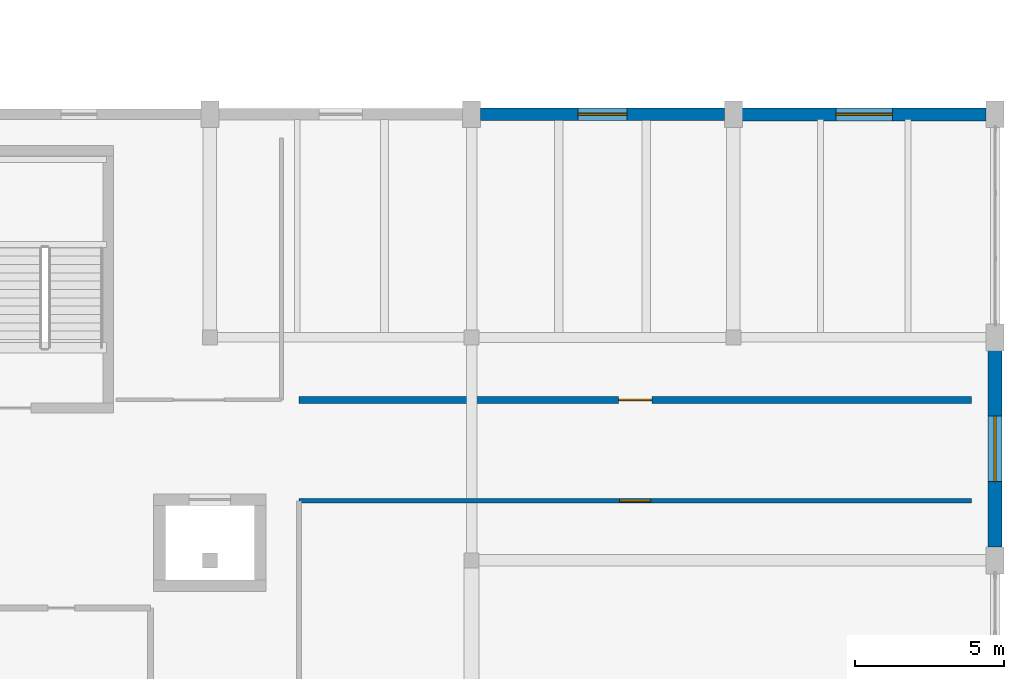
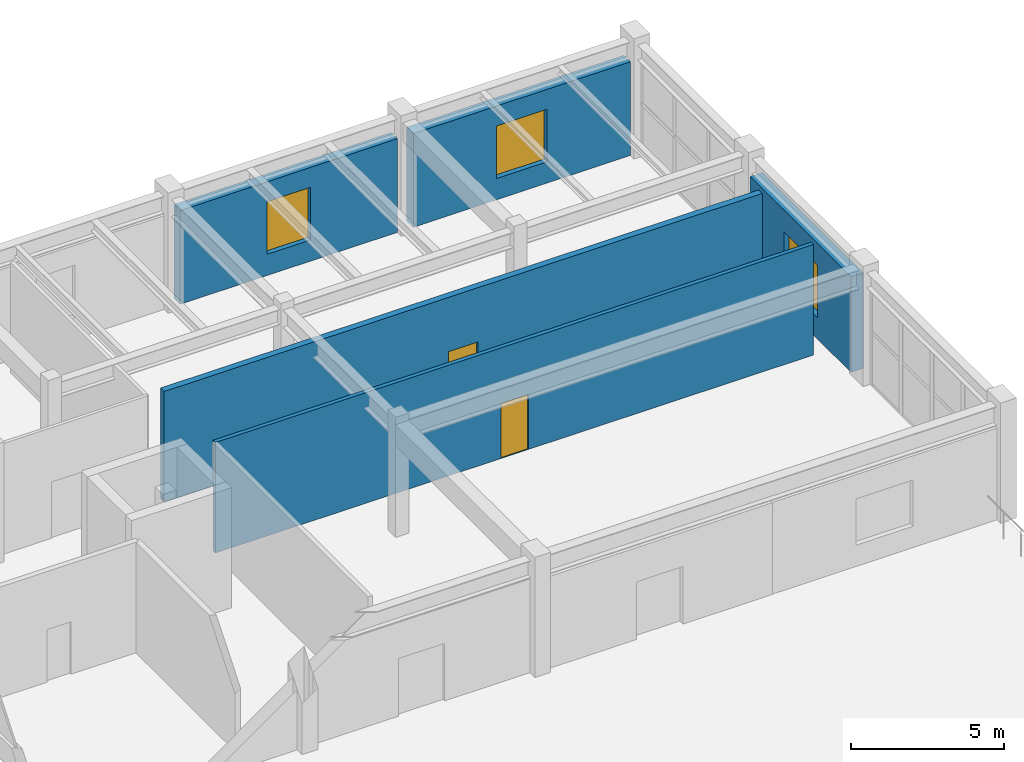
# One storey, part 46 of 62: 5 walls, 3 windows, 2 doors, 5 openings.
"""IFC4 building model written with IfcOpenShell, lengths in metres."""

from ifc_helpers import new_model, si_unit, direction, frame, frame_2d, origin, place, context, subcontext, project, spatial, rectangle, extrude, material, layer, layer_set, type_object, element, fill, save


model = new_model("IFC4")

# Units and contexts
model_context = context("Model", 3, precision=1e-05, world=origin(), true_north=direction((0.0, 1.0)))
body_context = subcontext(model_context, "Body", "Model", "MODEL_VIEW")
ifc_project = project(units=[si_unit("LENGTHUNIT", "METRE"), si_unit("AREAUNIT", "SQUARE_METRE"), si_unit("VOLUMEUNIT", "CUBIC_METRE"), si_unit("PLANEANGLEUNIT", "RADIAN"), si_unit("MASSUNIT", "GRAM", prefix="KILO")], contexts=[model_context])

# Site, building, storey
site_placement = place(None, origin())
site = spatial("IfcSite", under=ifc_project, at=site_placement, CompositionType="ELEMENT")
building_placement = place(site_placement, origin())
building = spatial("IfcBuilding", under=site, at=building_placement, Name="Vaelkrest Opera House", CompositionType="ELEMENT")
storey_placement = place(building_placement, frame((0.0, 0.0, 19.800048828125)))
storey = spatial("IfcBuildingStorey", under=building, at=storey_placement, Name="L04", CompositionType="ELEMENT", Elevation=19.800048828125)

# Wall, opening, window
ifc_material_1 = material(Name="Concrete C40/50", Category="concrete")
ifc_layer_1 = layer(ifc_material_1, 0.409912109375)
ifc_layer_set_1 = layer_set([ifc_layer_1], Name="Concrete C40/50")
wall_type_1 = type_object("IfcWallType", Name="EW08", PredefinedType="STANDARD", material=ifc_layer_set_1)
wall_1_placement = place(storey_placement, frame((51.498046875, 25.199951171875, 0.0), z_axis=(0.0, 0.0, 1.0), x_axis=(1.0, 0.0, 0.0)))
wall_1 = element("IfcWall", 1, at=wall_1_placement, inside=storey, type_object=wall_type_1, Name="Exterior facade wall EW-V4-L04-0288", PredefinedType="STANDARD", context=body_context, shape_type="SweptSolid", body=[
    extrude(rectangle(XDim=8.203857421875, YDim=0.409912109375, at=frame_2d((4.10205078125, 0.0))), origin(), (0.0, 0.0, 1.0), 3.744873046875),
])
opening_1_placement = place(wall_1_placement, frame((3.277099609375, 0.0, 0.85009765625)))
opening_1 = element("IfcOpeningElement", 2, at=opening_1_placement, cuts=wall_1, Name="Opening WN171", PredefinedType="OPENING", context=body_context, shape_type="SweptSolid", body=[
    extrude(rectangle(XDim=1.64990234375, YDim=2.10009765625, at=frame_2d((0.824951171875, 1.050048828125))), frame((0.0, 0.21484375, 0.0), z_axis=(0.0, -1.0, 0.0), x_axis=(1.0, 0.0, 0.0)), (0.0, 0.0, 1.0), 0.429931640625),
])
ifc_material_2 = material(Name="Double low-E insulated glazing", Category="glass")
window_type_1 = type_object("IfcWindowType", Name="WT15", PartitioningType="SINGLE_PANEL", PredefinedType="WINDOW", material=ifc_material_2)
window_1_placement = place(opening_1_placement, origin())
window_1 = element("IfcWindow", 3, at=window_1_placement, inside=storey, type_object=window_type_1, Name="Facade window WN171", OverallHeight=2.10009765625, OverallWidth=1.64990234375, PartitioningType="SINGLE_PANEL", PredefinedType="WINDOW", context=body_context, shape_type="SweptSolid", body=[
    extrude(rectangle(XDim=1.64990234375, YDim=2.10009765625, at=frame_2d((0.824951171875, 1.050048828125))), frame((0.0, 0.030029296875, 0.0), z_axis=(0.0, -1.0, 0.0), x_axis=(1.0, 0.0, 0.0)), (0.0, 0.0, 1.0), 0.06005859375),
])
fill(opening_1, window_1)

ifc_layer_2 = layer(ifc_material_1, 0.43505859375)
ifc_layer_set_2 = layer_set([ifc_layer_2], Name="Concrete C40/50")
wall_type_2 = type_object("IfcWallType", Name="EW09", PredefinedType="STANDARD", material=ifc_layer_set_2)
wall_2_placement = place(storey_placement, frame((60.298095703125, 25.199951171875, 0.0), z_axis=(0.0, 0.0, 1.0), x_axis=(1.0, 0.0, 0.0)))
wall_2 = element("IfcWall", 4, at=wall_2_placement, inside=storey, type_object=wall_type_2, Name="Exterior facade wall EW-V4-L04-0289", PredefinedType="STANDARD", context=body_context, shape_type="SweptSolid", body=[
    extrude(rectangle(XDim=8.203857421875, YDim=0.43505859375, at=frame_2d((4.10205078125, 0.0))), origin(), (0.0, 0.0, 1.0), 3.744873046875),
])
opening_2_placement = place(wall_2_placement, frame((3.152099609375, 0.0, 0.85009765625)))
opening_2 = element("IfcOpeningElement", 5, at=opening_2_placement, cuts=wall_2, Name="Opening WN172", PredefinedType="OPENING", context=body_context, shape_type="SweptSolid", body=[
    extrude(rectangle(XDim=1.89990234375, YDim=2.10009765625, at=frame_2d((0.949951171875, 1.050048828125))), frame((0.0, 0.2275390625, 0.0), z_axis=(0.0, -1.0, 0.0), x_axis=(1.0, 0.0, 0.0)), (0.0, 0.0, 1.0), 0.455078125),
])
window_type_2 = type_object("IfcWindowType", Name="WT16", PartitioningType="SINGLE_PANEL", PredefinedType="WINDOW", material=ifc_material_2)
window_2_placement = place(opening_2_placement, origin())
window_2 = element("IfcWindow", 6, at=window_2_placement, inside=storey, type_object=window_type_2, Name="Facade window WN172", OverallHeight=2.10009765625, OverallWidth=1.89990234375, PartitioningType="SINGLE_PANEL", PredefinedType="WINDOW", context=body_context, shape_type="SweptSolid", body=[
    extrude(rectangle(XDim=1.89990234375, YDim=2.10009765625, at=frame_2d((0.949951171875, 1.050048828125))), frame((0.0, 0.030029296875, 0.0), z_axis=(0.0, -1.0, 0.0), x_axis=(1.0, 0.0, 0.0)), (0.0, 0.0, 1.0), 0.06005859375),
])
fill(opening_2, window_2)

ifc_layer_3 = layer(ifc_material_1, 0.465087890625)
ifc_layer_set_3 = layer_set([ifc_layer_3], Name="Concrete C40/50")
wall_type_3 = type_object("IfcWallType", Name="EW10", PredefinedType="STANDARD", material=ifc_layer_set_3)
wall_3_placement = place(storey_placement, frame((68.800048828125, 17.251953125, 0.0), z_axis=(0.0, 0.0, 1.0), x_axis=(0.0, -1.0, 0.0)))
wall_3 = element("IfcWall", 7, at=wall_3_placement, inside=storey, type_object=wall_type_3, Name="Exterior facade wall EW-V4-L04-0290", PredefinedType="STANDARD", context=body_context, shape_type="SweptSolid", body=[
    extrude(rectangle(XDim=6.60400390625, YDim=0.465087890625, at=frame_2d((3.302001953125, 0.0))), origin(), (0.0, 0.0, 1.0), 3.828857421875),
])
opening_3_placement = place(wall_3_placement, frame((2.201904296875, 0.0, 0.85009765625)))
opening_3 = element("IfcOpeningElement", 8, at=opening_3_placement, cuts=wall_3, Name="Opening WN173", PredefinedType="OPENING", context=body_context, shape_type="SweptSolid", body=[
    extrude(rectangle(XDim=2.199951171875, YDim=2.10009765625, at=frame_2d((1.10009765625, 1.050048828125))), frame((0.0, 0.242431640625, 0.0), z_axis=(0.0, -1.0, 0.0), x_axis=(1.0, 0.0, 0.0)), (0.0, 0.0, 1.0), 0.485107421875),
])
window_type_3 = type_object("IfcWindowType", Name="WT17", PartitioningType="SINGLE_PANEL", PredefinedType="WINDOW", material=ifc_material_2)
window_3_placement = place(opening_3_placement, origin())
window_3 = element("IfcWindow", 9, at=window_3_placement, inside=storey, type_object=window_type_3, Name="Facade window WN173", OverallHeight=2.10009765625, OverallWidth=2.199951171875, PartitioningType="SINGLE_PANEL", PredefinedType="WINDOW", context=body_context, shape_type="SweptSolid", body=[
    extrude(rectangle(XDim=2.199951171875, YDim=2.10009765625, at=frame_2d((1.10009765625, 1.050048828125))), frame((0.0, 0.030029296875, 0.0), z_axis=(0.0, -1.0, 0.0), x_axis=(1.0, 0.0, 0.0)), (0.0, 0.0, 1.0), 0.06005859375),
])
fill(opening_3, window_3)

# Wall, opening, door
ifc_material_3 = material(Name="Gypsum acoustic board", Category="gypsum")
ifc_layer_4 = layer(ifc_material_3, 0.14990234375)
ifc_layer_set_4 = layer_set([ifc_layer_4], Name="Gypsum acoustic board")
wall_type_4 = type_object("IfcWallType", Name="PT03", PredefinedType="PARTITIONING", material=ifc_layer_set_4)
wall_4_placement = place(storey_placement, frame((45.39990234375, 12.199951171875, 0.0), z_axis=(0.0, 0.0, 1.0), x_axis=(1.0, 0.0, 0.0)))
wall_4 = element("IfcWall", 10, at=wall_4_placement, inside=storey, type_object=wall_type_4, Name="Interior partition PT-V4-L04-0395", PredefinedType="PARTITIONING", context=body_context, shape_type="SweptSolid", body=[
    extrude(rectangle(XDim=22.60009765625, YDim=0.14990234375, at=frame_2d((11.300048828125, 0.0))), origin(), (0.0, 0.0, 1.0), 4.419921875),
])
opening_4_placement = place(wall_4_placement, frame((10.780029296875, 0.0, 0.0)))
opening_4 = element("IfcOpeningElement", 11, at=opening_4_placement, cuts=wall_4, Name="Opening D163", PredefinedType="OPENING", context=body_context, shape_type="SweptSolid", body=[
    extrude(rectangle(XDim=1.0400390625, YDim=2.199951171875, at=frame_2d((0.52001953125, 1.10009765625))), frame((0.0, 0.0849609375, 0.0), z_axis=(0.0, -1.0, 0.0), x_axis=(1.0, 0.0, 0.0)), (0.0, 0.0, 1.0), 0.169921875),
])
ifc_material_4 = material(Name="American black walnut acoustic timber", Category="wood")
door_type_1 = type_object("IfcDoorType", Name="DT22", OperationType="NOTDEFINED", PredefinedType="DOOR", material=ifc_material_4)
door_1_placement = place(opening_4_placement, origin())
door_1 = element("IfcDoor", 12, at=door_1_placement, inside=storey, type_object=door_type_1, Name="Interior door D163 (Administration Office)", OperationType="SINGLE_SWING_LEFT", OverallHeight=2.199951171875, OverallWidth=1.0400390625, PredefinedType="DOOR", context=body_context, shape_type="SweptSolid", body=[
    extrude(rectangle(XDim=1.0400390625, YDim=2.199951171875, at=frame_2d((0.52001953125, 1.10009765625))), frame((0.0, 0.02490234375, 0.0), z_axis=(0.0, -1.0, 0.0), x_axis=(1.0, 0.0, 0.0)), (0.0, 0.0, 1.0), 0.050048828125),
])
fill(opening_4, door_1)

ifc_layer_5 = layer(ifc_material_1, 0.239990234375)
ifc_layer_set_5 = layer_set([ifc_layer_5], Name="Concrete C40/50")
wall_type_5 = type_object("IfcWallType", Name="PT09", PredefinedType="PARTITIONING", material=ifc_layer_set_5)
wall_5_placement = place(storey_placement, frame((45.39990234375, 15.60009765625, 0.0), z_axis=(0.0, 0.0, 1.0), x_axis=(1.0, 0.0, 0.0)))
wall_5 = element("IfcWall", 13, at=wall_5_placement, inside=storey, type_object=wall_type_5, Name="Interior partition PT-V4-L04-0397", PredefinedType="PARTITIONING", context=body_context, shape_type="SweptSolid", body=[
    extrude(rectangle(XDim=22.60009765625, YDim=0.239990234375, at=frame_2d((11.300048828125, 0.0))), origin(), (0.0, 0.0, 1.0), 4.419921875),
])
opening_5_placement = place(wall_5_placement, frame((10.739990234375, 0.0, 0.0)))
opening_5 = element("IfcOpeningElement", 14, at=opening_5_placement, cuts=wall_5, Name="Opening D164", PredefinedType="OPENING", context=body_context, shape_type="SweptSolid", body=[
    extrude(rectangle(XDim=1.1201171875, YDim=2.25, at=frame_2d((0.56005859375, 1.125))), frame((0.0, 0.1298828125, 0.0), z_axis=(0.0, -1.0, 0.0), x_axis=(1.0, 0.0, 0.0)), (0.0, 0.0, 1.0), 0.260009765625),
])
door_type_2 = type_object("IfcDoorType", Name="DT23", OperationType="NOTDEFINED", PredefinedType="DOOR", material=ifc_material_4)
door_2_placement = place(opening_5_placement, origin())
door_2 = element("IfcDoor", 15, at=door_2_placement, inside=storey, type_object=door_type_2, Name="Interior door D164 (Music Library Archive)", OperationType="SINGLE_SWING_RIGHT", OverallHeight=2.25, OverallWidth=1.1201171875, PredefinedType="DOOR", context=body_context, shape_type="SweptSolid", body=[
    extrude(rectangle(XDim=1.1201171875, YDim=2.25, at=frame_2d((0.56005859375, 1.125))), frame((0.0, 0.02490234375, 0.0), z_axis=(0.0, -1.0, 0.0), x_axis=(1.0, 0.0, 0.0)), (0.0, 0.0, 1.0), 0.050048828125),
])
fill(opening_5, door_2)

save(model, "model.ifc")
